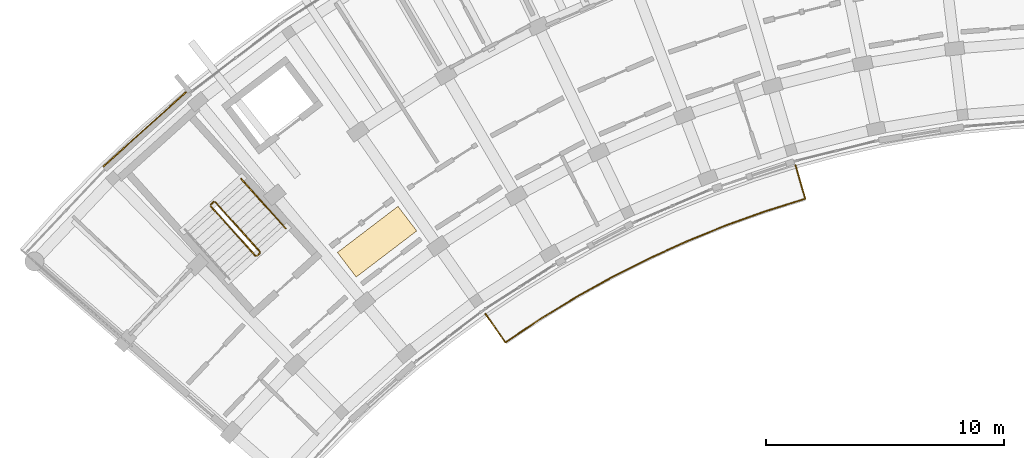
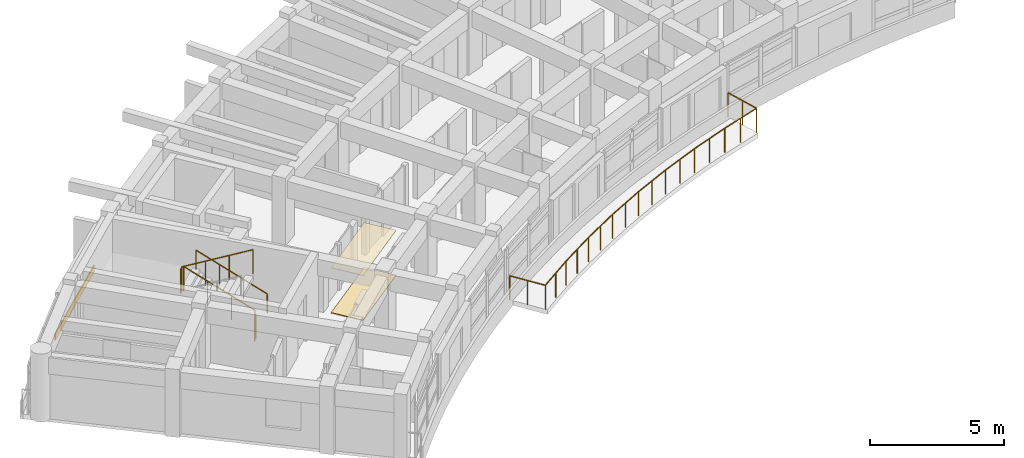
# One storey, part 42 of 56: 6 railings, 3 coverings.
"""IFC4 building model written with IfcOpenShell, lengths in metres."""

from ifc_helpers import new_model, si_unit, direction, frame, origin, origin_2d, place, context, subcontext, project, spatial, rectangle, circle, extrude, material, layer, layer_set, type_object, element, save


model = new_model("IFC4")

# Units and contexts
model_context = context("Model", 3, precision=1e-05, world=origin(), true_north=direction((0.0, 1.0)))
body_context = subcontext(model_context, "Body", "Model", "MODEL_VIEW")
ifc_project = project(units=[si_unit("LENGTHUNIT", "METRE"), si_unit("AREAUNIT", "SQUARE_METRE"), si_unit("VOLUMEUNIT", "CUBIC_METRE"), si_unit("PLANEANGLEUNIT", "RADIAN"), si_unit("MASSUNIT", "GRAM", prefix="KILO")], contexts=[model_context])

# Site, building, storey
site_placement = place(None, origin())
site = spatial("IfcSite", under=ifc_project, at=site_placement, CompositionType="ELEMENT")
building_placement = place(site_placement, origin())
building = spatial("IfcBuilding", under=site, at=building_placement, Name="Zimvara Arc Housing Community", CompositionType="ELEMENT")
storey_placement = place(building_placement, frame((0.0, 0.0, 11.199951171875)))
storey = spatial("IfcBuildingStorey", under=building, at=storey_placement, Name="L03", CompositionType="ELEMENT", Elevation=11.199951171875)

# Coverings
ifc_material_1 = material(Name="Pale-Gold Anodised Aluminium Cladding", Category="aluminium")
ifc_layer_1 = layer(ifc_material_1, 0.044921875)
ifc_layer_set_1 = layer_set([ifc_layer_1], Name="Pale-Gold Anodised Aluminium Cladding")
covering_type_1 = type_object("IfcCoveringType", Name="CLD-GOLD-02", PredefinedType="CLADDING", material=ifc_layer_set_1)
covering_1_placement = place(storey_placement, frame((5.226806640625, 88.703369140625, 0.01025390625), z_axis=(0.0, 0.0, 1.0), x_axis=(0.74337718344, 0.668872456557, 0.0)))
element("IfcCovering", 1, at=covering_1_placement, inside=storey, type_object=covering_type_1, Name="cld:blkA:L03:out:b1", PredefinedType="CLADDING", context=body_context, shape_type="SweptSolid", body=[
    extrude(rectangle(XDim=4.748779296875, YDim=0.044921875, at=origin_2d()), origin(), (0.0, 0.0, 1.0), 0.300048828125),
])
ifc_material_2 = material(Name="Perforated Acoustic Ceiling Board")
ifc_layer_2 = layer(ifc_material_2, 0.030029296875)
ifc_layer_set_2 = layer_set([ifc_layer_2], Name="Perforated Acoustic Ceiling Board")
covering_type_2 = type_object("IfcCoveringType", Name="COV-CEIL-04", PredefinedType="CEILING", material=ifc_layer_set_2)
covering_2_placement = place(storey_placement, frame((14.974853515625, 83.959228515625, 2.0498046875), z_axis=(0.0, 0.0, 1.0), x_axis=(-0.605988400266, 0.795473480855, 0.0)))
element("IfcCovering", 2, at=covering_2_placement, inside=storey, type_object=covering_type_2, Name="ceil:blkA:L03", PredefinedType="CEILING", context=body_context, shape_type="SweptSolid", body=[
    extrude(rectangle(XDim=1.300048828125, YDim=3.199951171875, at=origin_2d()), origin(), (0.0, 0.0, 1.0), 0.030029296875),
])
ifc_material_3 = material(Name="Polished Coastal Sand Terrazzo")
ifc_layer_3 = layer(ifc_material_3, 0.031982421875)
ifc_layer_set_3 = layer_set([ifc_layer_3], Name="Polished Coastal Sand Terrazzo")
covering_type_3 = type_object("IfcCoveringType", Name="COV-FLOR-04", PredefinedType="FLOORING", material=ifc_layer_set_3)
covering_3_placement = place(storey_placement, frame((14.974853515625, 83.959228515625, 0.0), z_axis=(0.0, 0.0, 1.0), x_axis=(-0.605988400266, 0.795473480855, 0.0)))
element("IfcCovering", 3, at=covering_3_placement, inside=storey, type_object=covering_type_3, Name="flor:blkA:L03", PredefinedType="FLOORING", context=body_context, shape_type="SweptSolid", body=[
    extrude(rectangle(XDim=1.300048828125, YDim=3.199951171875, at=origin_2d()), origin(), (0.0, 0.0, 1.0), 0.031982421875),
])

# Railings
ifc_material_4 = material(Name="Anodised Aluminium AW-6063", Category="aluminium")
railing_type_1 = type_object("IfcRailingType", Name="RLG-BAL-1120", PredefinedType="BALUSTRADE", material=ifc_material_4)
railing_1_placement = place(storey_placement, frame((19.530029296875, 80.92919921875, 0.0)))
element("IfcRailing", 4, at=railing_1_placement, inside=storey, type_object=railing_type_1, Name="rlg:blkA:L03:bal_in_guard", PredefinedType="BALUSTRADE", context=body_context, shape_type="SweptSolid", body=[
    extrude(circle(Radius=0.02392578125, at=origin_2d()), frame((0.0, 0.0, 1.09619140625), z_axis=(0.572960666414, -0.819582866306, 0.0), x_axis=(0.819582866306, 0.572960666414, 0.0)), (0.0, 0.0, 1.0), 1.469970703125),
    extrude(circle(Radius=0.02392578125, at=origin_2d()), frame((0.84228515625, -1.204833984375, 1.09619140625), z_axis=(0.83110751259, 0.556111771604, 0.0), x_axis=(-0.556111771604, 0.83110751259, 0.0)), (0.0, 0.0, 1.0), 1.755126953125),
    extrude(circle(Radius=0.02392578125, at=origin_2d()), frame((2.301025390625, -0.228759765625, 1.09619140625), z_axis=(0.853092665747, 0.52175943082, 0.0), x_axis=(-0.52175943082, 0.853092665747, 0.0)), (0.0, 0.0, 1.0), 1.755126953125),
    extrude(circle(Radius=0.02392578125, at=origin_2d()), frame((3.79833984375, 0.68701171875, 1.09619140625), z_axis=(0.873651601958, 0.486552030513, 0.0), x_axis=(-0.486552030513, 0.873651601958, 0.0)), (0.0, 0.0, 1.0), 1.755126953125),
    extrude(circle(Radius=0.02392578125, at=origin_2d()), frame((5.331787109375, 1.541015625, 1.09619140625), z_axis=(0.892835912271, 0.450382097512, 0.0), x_axis=(-0.450382097512, 0.892835912271, 0.0)), (0.0, 0.0, 1.0), 1.755126953125),
    extrude(circle(Radius=0.02392578125, at=origin_2d()), frame((6.89892578125, 2.33154296875, 1.09619140625), z_axis=(0.91049504579, 0.413519977258, 0.0), x_axis=(-0.413519977258, 0.91049504579, 0.0)), (0.0, 0.0, 1.0), 1.755126953125),
    extrude(circle(Radius=0.02392578125, at=origin_2d()), frame((8.4970703125, 3.057373046875, 1.09619140625), z_axis=(0.926565071811, 0.376134507458, 0.0), x_axis=(-0.376134507458, 0.926565071811, 0.0)), (0.0, 0.0, 1.0), 1.755126953125),
    extrude(circle(Radius=0.02392578125, at=origin_2d()), frame((10.123291015625, 3.717529296875, 1.09619140625), z_axis=(0.941158376395, 0.33796584227, 0.0), x_axis=(-0.33796584227, 0.941158376395, 0.0)), (0.0, 0.0, 1.0), 1.75537109375),
    extrude(circle(Radius=0.02392578125, at=origin_2d()), frame((11.775390625, 4.310791015625, 1.09619140625), z_axis=(0.954192435663, 0.299193575672, 0.0), x_axis=(-0.299193575672, 0.954192435663, 0.0)), (0.0, 0.0, 1.0), 1.755126953125),
    extrude(circle(Radius=0.02392578125, at=origin_2d()), frame((13.4501953125, 4.8359375, 1.09619140625), z_axis=(-0.279719338513, 0.960081815087, 0.0), x_axis=(-0.960081815087, -0.279719338513, 0.0)), (0.0, 0.0, 1.0), 1.4697265625),
    extrude(circle(Radius=0.02099609375, at=origin_2d()), origin(), (0.0, 0.0, 1.0), 1.072021484375),
    extrude(circle(Radius=0.02099609375, at=origin_2d()), frame((0.421142578125, -0.6025390625, 0.0)), (0.0, 0.0, 1.0), 1.072021484375),
    extrude(circle(Radius=0.02099609375, at=origin_2d()), frame((0.84228515625, -1.204833984375, 0.0)), (0.0, 0.0, 1.0), 1.072021484375),
    extrude(circle(Radius=0.02099609375, at=origin_2d()), frame((1.57177734375, -0.716796875, 0.0)), (0.0, 0.0, 1.0), 1.072021484375),
    extrude(circle(Radius=0.02099609375, at=origin_2d()), frame((2.301025390625, -0.228759765625, 0.0)), (0.0, 0.0, 1.0), 1.072021484375),
    extrude(circle(Radius=0.02099609375, at=origin_2d()), frame((3.0498046875, 0.22900390625, 0.0)), (0.0, 0.0, 1.0), 1.072021484375),
    extrude(circle(Radius=0.02099609375, at=origin_2d()), frame((3.79833984375, 0.68701171875, 0.0)), (0.0, 0.0, 1.0), 1.072021484375),
    extrude(circle(Radius=0.02099609375, at=origin_2d()), frame((4.56494140625, 1.114013671875, 0.0)), (0.0, 0.0, 1.0), 1.072021484375),
    extrude(circle(Radius=0.02099609375, at=origin_2d()), frame((5.331787109375, 1.541015625, 0.0)), (0.0, 0.0, 1.0), 1.072021484375),
    extrude(circle(Radius=0.02099609375, at=origin_2d()), frame((6.115234375, 1.936279296875, 0.0)), (0.0, 0.0, 1.0), 1.072021484375),
    extrude(circle(Radius=0.02099609375, at=origin_2d()), frame((6.89892578125, 2.33154296875, 0.0)), (0.0, 0.0, 1.0), 1.072021484375),
    extrude(circle(Radius=0.02099609375, at=origin_2d()), frame((7.697998046875, 2.6943359375, 0.0)), (0.0, 0.0, 1.0), 1.072021484375),
    extrude(circle(Radius=0.02099609375, at=origin_2d()), frame((8.4970703125, 3.057373046875, 0.0)), (0.0, 0.0, 1.0), 1.072021484375),
    extrude(circle(Radius=0.02099609375, at=origin_2d()), frame((9.31005859375, 3.387451171875, 0.0)), (0.0, 0.0, 1.0), 1.072021484375),
    extrude(circle(Radius=0.02099609375, at=origin_2d()), frame((10.123291015625, 3.717529296875, 0.0)), (0.0, 0.0, 1.0), 1.072021484375),
    extrude(circle(Radius=0.02099609375, at=origin_2d()), frame((10.94921875, 4.01416015625, 0.0)), (0.0, 0.0, 1.0), 1.072021484375),
    extrude(circle(Radius=0.02099609375, at=origin_2d()), frame((11.775390625, 4.310791015625, 0.0)), (0.0, 0.0, 1.0), 1.072021484375),
    extrude(circle(Radius=0.02099609375, at=origin_2d()), frame((12.61279296875, 4.5732421875, 0.0)), (0.0, 0.0, 1.0), 1.072021484375),
    extrude(circle(Radius=0.02099609375, at=origin_2d()), frame((13.4501953125, 4.8359375, 0.0)), (0.0, 0.0, 1.0), 1.072021484375),
    extrude(circle(Radius=0.02099609375, at=origin_2d()), frame((13.24462890625, 5.54150390625, 0.0)), (0.0, 0.0, 1.0), 1.072021484375),
    extrude(circle(Radius=0.02099609375, at=origin_2d()), frame((13.0390625, 6.2470703125, 0.0)), (0.0, 0.0, 1.0), 1.072021484375),
])
railing_2_placement = place(storey_placement, frame((10.0478515625, 83.5400390625, 0.155029296875)))
element("IfcRailing", 5, at=railing_2_placement, inside=storey, type_object=railing_type_1, Name="L03 ST-A1 stair guard 1", PredefinedType="BALUSTRADE", context=body_context, shape_type="SweptSolid", body=[
    extrude(circle(Radius=0.02392578125, at=origin_2d()), frame((0.0, 0.0, 1.09619140625), z_axis=(-0.599018063854, 0.665748660595, 0.444922555162), x_axis=(-0.743380604779, -0.668868654101, 0.0)), (0.0, 0.0, 1.0), 3.135498046875),
    extrude(circle(Radius=0.02099609375, at=origin_2d()), origin(), (0.0, 0.0, 1.0), 1.072021484375),
    extrude(circle(Radius=0.02099609375, at=origin_2d()), frame((-0.6259765625, 0.69580078125, 0.465087890625)), (0.0, 0.0, 1.0), 1.072021484375),
    extrude(circle(Radius=0.02099609375, at=origin_2d()), frame((-1.252197265625, 1.3916015625, 0.929931640625)), (0.0, 0.0, 1.0), 1.072021484375),
    extrude(circle(Radius=0.02099609375, at=origin_2d()), frame((-1.878173828125, 2.08740234375, 1.39501953125)), (0.0, 0.0, 1.0), 1.072021484375),
])
railing_3_placement = place(storey_placement, frame((8.098876953125, 85.631103515625, 1.550048828125)))
element("IfcRailing", 6, at=railing_3_placement, inside=storey, type_object=railing_type_1, Name="L03 ST-A1 stair guard 2", PredefinedType="BALUSTRADE", context=body_context, shape_type="SweptSolid", body=[
    extrude(circle(Radius=0.02392578125, at=origin_2d()), frame((0.0, 0.0, 1.09619140625), z_axis=(-0.743521848755, -0.668711642207, 0.0), x_axis=(0.668711642207, -0.743521848755, 0.0)), (0.0, 0.0, 1.0), 0.159912109375),
    extrude(circle(Radius=0.02099609375, at=origin_2d()), origin(), (0.0, 0.0, 1.0), 1.072021484375),
    extrude(circle(Radius=0.02099609375, at=origin_2d()), frame((-0.118896484375, -0.10693359375, 0.0)), (0.0, 0.0, 1.0), 1.072021484375),
])
railing_4_placement = place(storey_placement, frame((7.976318359375, 85.453369140625, 1.705078125)))
element("IfcRailing", 7, at=railing_4_placement, inside=storey, type_object=railing_type_1, Name="L03 ST-A1 stair guard 3", PredefinedType="BALUSTRADE", context=body_context, shape_type="SweptSolid", body=[
    extrude(circle(Radius=0.02392578125, at=origin_2d()), frame((0.0, 0.0, 1.09619140625), z_axis=(0.599018063854, -0.665748660595, 0.444922555162), x_axis=(0.743380604779, 0.668868654101, 0.0)), (0.0, 0.0, 1.0), 3.135498046875),
    extrude(circle(Radius=0.02099609375, at=origin_2d()), origin(), (0.0, 0.0, 1.0), 1.072021484375),
    extrude(circle(Radius=0.02099609375, at=origin_2d()), frame((0.6259765625, -0.69580078125, 0.465087890625)), (0.0, 0.0, 1.0), 1.072021484375),
    extrude(circle(Radius=0.02099609375, at=origin_2d()), frame((1.252197265625, -1.3916015625, 0.929931640625)), (0.0, 0.0, 1.0), 1.072021484375),
    extrude(circle(Radius=0.02099609375, at=origin_2d()), frame((1.878173828125, -2.08740234375, 1.39501953125)), (0.0, 0.0, 1.0), 1.072021484375),
])
railing_5_placement = place(storey_placement, frame((10.0439453125, 83.469482421875, 0.0)))
element("IfcRailing", 8, at=railing_5_placement, inside=storey, type_object=railing_type_1, Name="L03 ST-A1 stair guard 4", PredefinedType="BALUSTRADE", context=body_context, shape_type="SweptSolid", body=[
    extrude(circle(Radius=0.02392578125, at=origin_2d()), frame((0.0, 0.0, 1.09619140625), z_axis=(-0.742763048172, -0.669554369913, 0.0), x_axis=(0.669554369913, -0.742763048172, 0.0)), (0.0, 0.0, 1.0), 0.16015625),
    extrude(circle(Radius=0.02099609375, at=origin_2d()), origin(), (0.0, 0.0, 1.0), 1.072021484375),
    extrude(circle(Radius=0.02099609375, at=origin_2d()), frame((-0.118896484375, -0.107177734375, 0.0)), (0.0, 0.0, 1.0), 1.072021484375),
])
ifc_material_5 = material(Name="Anodised Aluminium AW-6063", Category="aluminium")
railing_type_2 = type_object("IfcRailingType", Name="RLG-HND-900", PredefinedType="HANDRAIL", material=ifc_material_5)
railing_6_placement = place(storey_placement, frame((11.133056640625, 84.5166015625, 0.155029296875)))
element("IfcRailing", 9, at=railing_6_placement, inside=storey, type_object=railing_type_2, Name="L03 ST-A1 stair handrail 1", PredefinedType="HANDRAIL", context=body_context, shape_type="SweptSolid", body=[
    extrude(circle(Radius=0.02392578125, at=origin_2d()), frame((0.0, 0.0, 0.8759765625), z_axis=(-0.599018063854, 0.665748660595, 0.444922555162), x_axis=(-0.743380604779, -0.668868654101, 0.0)), (0.0, 0.0, 1.0), 3.135498046875),
    extrude(circle(Radius=0.02099609375, at=origin_2d()), origin(), (0.0, 0.0, 1.0), 0.851806640625),
    extrude(circle(Radius=0.02099609375, at=origin_2d()), frame((-0.6259765625, 0.69580078125, 0.465087890625)), (0.0, 0.0, 1.0), 0.851806640625),
    extrude(circle(Radius=0.02099609375, at=origin_2d()), frame((-1.252197265625, 1.3916015625, 0.929931640625)), (0.0, 0.0, 1.0), 0.851806640625),
    extrude(circle(Radius=0.02099609375, at=origin_2d()), frame((-1.878173828125, 2.08740234375, 1.39501953125)), (0.0, 0.0, 1.0), 0.851806640625),
])

save(model, "model.ifc")
